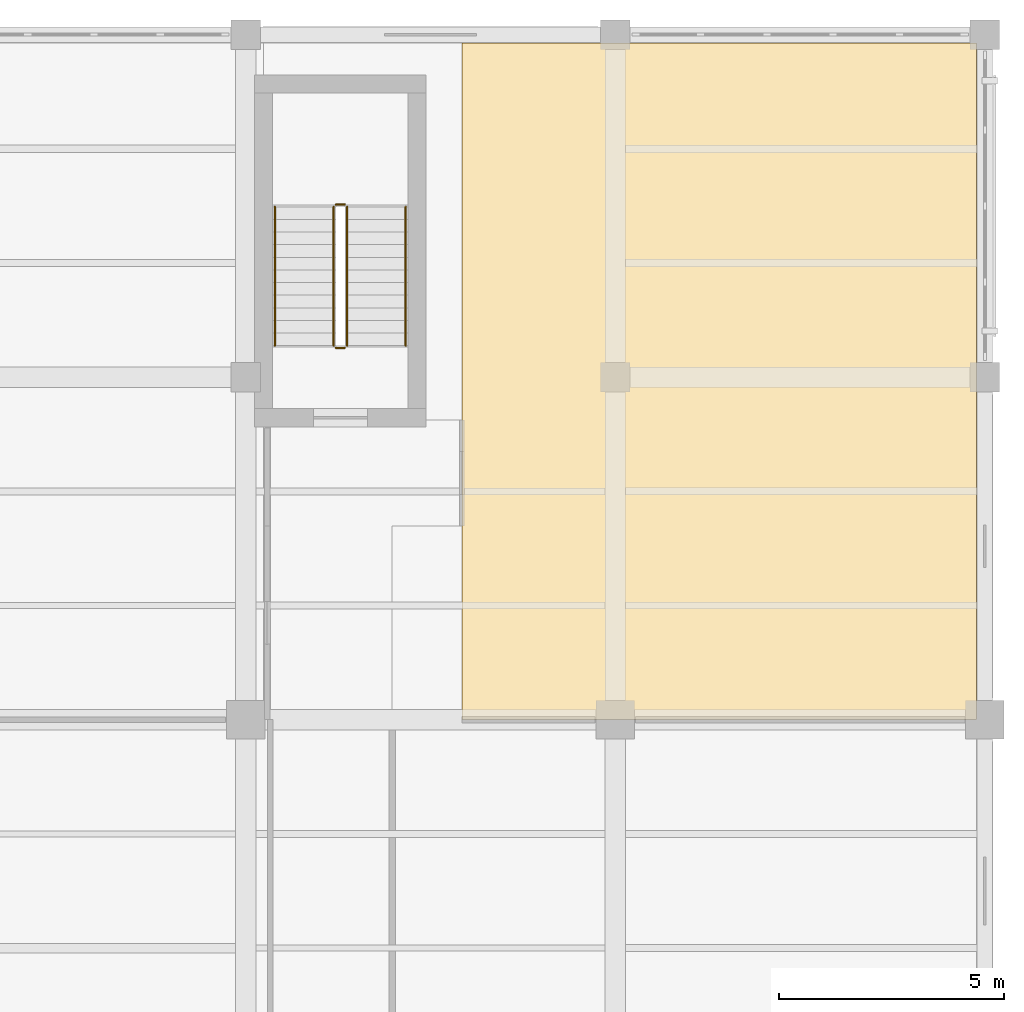
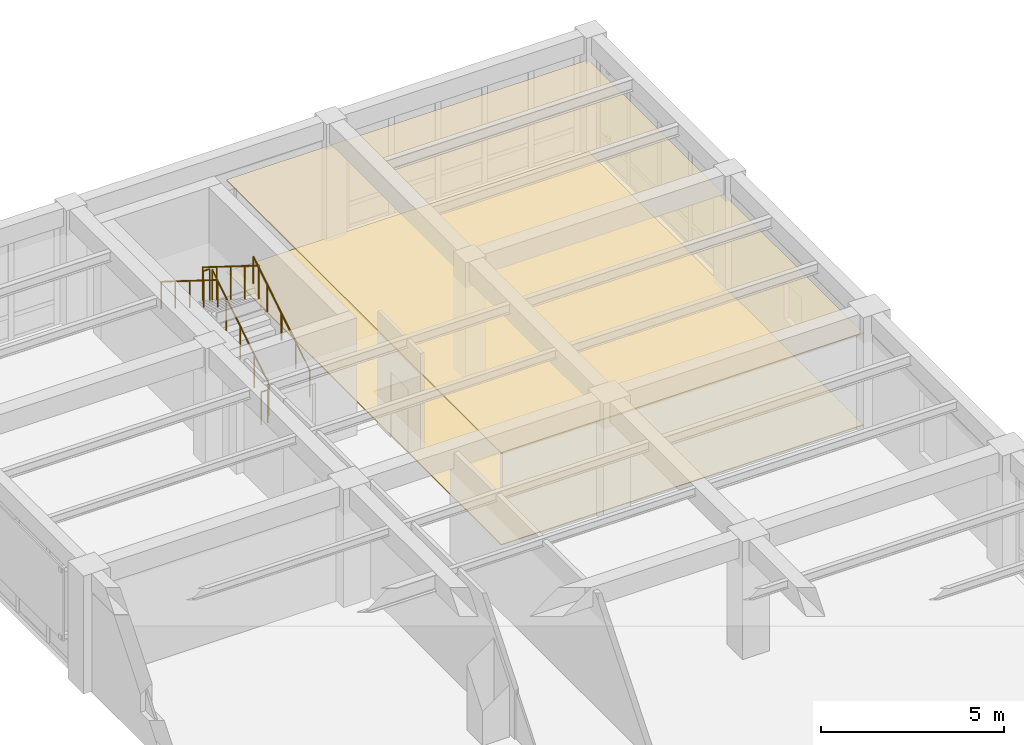
# One storey, part 16 of 16: 6 railings, 2 coverings.
"""IFC4 building model written with IfcOpenShell, lengths in metres."""

from ifc_helpers import new_model, si_unit, direction, frame, origin, origin_2d, place, context, subcontext, project, spatial, polyline, circle, outline, extrude, material, layer, layer_set, type_object, element, save


model = new_model("IFC4")

# Units and contexts
model_context = context("Model", 3, precision=1e-05, world=origin(), true_north=direction((0.0, 1.0)))
body_context = subcontext(model_context, "Body", "Model", "MODEL_VIEW")
ifc_project = project(units=[si_unit("LENGTHUNIT", "METRE"), si_unit("AREAUNIT", "SQUARE_METRE"), si_unit("VOLUMEUNIT", "CUBIC_METRE"), si_unit("PLANEANGLEUNIT", "RADIAN"), si_unit("MASSUNIT", "GRAM", prefix="KILO")], contexts=[model_context])

# Site, building, storey
site_placement = place(None, origin())
site = spatial("IfcSite", under=ifc_project, at=site_placement, CompositionType="ELEMENT")
building_placement = place(site_placement, origin())
building = spatial("IfcBuilding", under=site, at=building_placement, Name="Qandaris Square Conservatory and Botanical Centre", CompositionType="ELEMENT")
storey_placement = place(building_placement, frame((0.0, 0.0, 24.0)))
storey = spatial("IfcBuildingStorey", under=building, at=storey_placement, Name="L05", CompositionType="ELEMENT", Elevation=24.0)

# Coverings
ifc_material_1 = material(Name="Honed Qatari Limestone", Category="masonry")
ifc_layer_1 = layer(ifc_material_1, 0.030029296875)
ifc_layer_set_1 = layer_set([ifc_layer_1], Name="Honed Qatari Limestone")
covering_type_1 = type_object("IfcCoveringType", Name="Honed Qatari Limestone Concourse Paving", PredefinedType="FLOORING", material=ifc_layer_set_1)
covering_1_placement = place(storey_placement, origin())
element("IfcCovering", 1, at=covering_1_placement, inside=storey, type_object=covering_type_1, Name="Floor L05 Staff Write-Up Lounge Flooring", PredefinedType="FLOORING", context=body_context, shape_type="SweptSolid", body=[
    extrude(outline(polyline([(152.199951171875, 62.199951171875), (152.199951171875, 66.5), (152.199951171875, 68.85009765625), (152.199951171875, 77.219970703125), (163.6201171875, 77.219970703125), (163.6201171875, 62.199951171875), (152.199951171875, 62.199951171875)])), origin(), (0.0, 0.0, 1.0), 0.030029296875),
])
ifc_material_2 = material(Name="Engineered Oak Timber", Category="wood")
ifc_layer_2 = layer(ifc_material_2, 0.0400390625)
ifc_layer_set_2 = layer_set([ifc_layer_2], Name="Engineered Oak Timber")
covering_type_2 = type_object("IfcCoveringType", Name="Slatted Oak Acoustic Gallery Ceiling", PredefinedType="CEILING", material=ifc_layer_set_2)
covering_2_placement = place(storey_placement, frame((0.0, 0.0, 3.050048828125)))
element("IfcCovering", 2, at=covering_2_placement, inside=storey, type_object=covering_type_2, Name="Floor L05 Staff Write-Up Lounge Ceiling", PredefinedType="CEILING", context=body_context, shape_type="SweptSolid", body=[
    extrude(outline(polyline([(152.199951171875, 62.199951171875), (152.199951171875, 66.5), (152.199951171875, 68.85009765625), (152.199951171875, 77.219970703125), (163.6201171875, 77.219970703125), (163.6201171875, 62.199951171875), (152.199951171875, 62.199951171875)])), origin(), (0.0, 0.0, 1.0), 0.0400390625),
])

# Railings
ifc_material_3 = material(Name="Stainless Steel", Category="steel")
railing_type_1 = type_object("IfcRailingType", Name="Stair Tubular Handrail 920mm", PredefinedType="HANDRAIL", material=ifc_material_3)
railing_1_placement = place(storey_placement, frame((150.949951171875, 70.5, 0.35009765625)))
element("IfcRailing", 3, at=railing_1_placement, inside=storey, type_object=railing_type_1, Name="L05 ST-3 stair handrail 1", PredefinedType="HANDRAIL", context=body_context, shape_type="SweptSolid", body=[
    extrude(circle(Radius=0.02392578125, at=origin_2d()), frame((0.0, 0.0, 0.89599609375), z_axis=(0.0, 0.848028513186, 0.529950602248), x_axis=(-1.0, 0.0, 0.0)), (0.0, 0.0, 1.0), 3.632080078125),
    extrude(circle(Radius=0.02099609375, at=origin_2d()), origin(), (0.0, 0.0, 1.0), 0.871826171875),
    extrude(circle(Radius=0.02099609375, at=origin_2d()), frame((0.0, 0.77001953125, 0.481201171875)), (0.0, 0.0, 1.0), 0.871826171875),
    extrude(circle(Radius=0.02099609375, at=origin_2d()), frame((0.0, 1.5400390625, 0.96240234375)), (0.0, 0.0, 1.0), 0.871826171875),
    extrude(circle(Radius=0.02099609375, at=origin_2d()), frame((0.0, 2.31005859375, 1.443603515625)), (0.0, 0.0, 1.0), 0.871826171875),
    extrude(circle(Radius=0.02099609375, at=origin_2d()), frame((0.0, 3.080078125, 1.9248046875)), (0.0, 0.0, 1.0), 0.871826171875),
])
railing_2_placement = place(storey_placement, frame((148.050048828125, 73.580078125, 2.449951171875)))
element("IfcRailing", 4, at=railing_2_placement, inside=storey, type_object=railing_type_1, Name="L05 ST-3 stair handrail 2", PredefinedType="HANDRAIL", context=body_context, shape_type="SweptSolid", body=[
    extrude(circle(Radius=0.02392578125, at=origin_2d()), frame((0.0, 0.0, 0.89599609375), z_axis=(0.0, -0.847998304005, 0.529998940003), x_axis=(1.0, 0.0, 0.0)), (0.0, 0.0, 1.0), 3.632080078125),
    extrude(circle(Radius=0.02099609375, at=origin_2d()), origin(), (0.0, 0.0, 1.0), 0.871826171875),
    extrude(circle(Radius=0.02099609375, at=origin_2d()), frame((0.0, -0.77001953125, 0.481201171875)), (0.0, 0.0, 1.0), 0.871826171875),
    extrude(circle(Radius=0.02099609375, at=origin_2d()), frame((0.0, -1.5400390625, 0.96240234375)), (0.0, 0.0, 1.0), 0.871826171875),
    extrude(circle(Radius=0.02099609375, at=origin_2d()), frame((0.0, -2.31005859375, 1.44384765625)), (0.0, 0.0, 1.0), 0.871826171875),
    extrude(circle(Radius=0.02099609375, at=origin_2d()), frame((0.0, -3.080078125, 1.925048828125)), (0.0, 0.0, 1.0), 0.871826171875),
])
railing_type_2 = type_object("IfcRailingType", Name="Stairwell & Atrium Guardrail 1120mm", PredefinedType="GUARDRAIL", material=ifc_material_3)
railing_3_placement = place(storey_placement, frame((149.64990234375, 70.5, 0.175048828125)))
element("IfcRailing", 5, at=railing_3_placement, inside=storey, type_object=railing_type_2, Name="L05 ST-3 stair guard 1", PredefinedType="GUARDRAIL", context=body_context, shape_type="SweptSolid", body=[
    extrude(circle(Radius=0.02392578125, at=origin_2d()), frame((0.0, 0.0, 1.09619140625), z_axis=(0.0, 0.847998304005, 0.529998940003), x_axis=(-1.0, 0.0, 0.0)), (0.0, 0.0, 1.0), 3.632080078125),
    extrude(circle(Radius=0.02099609375, at=origin_2d()), origin(), (0.0, 0.0, 1.0), 1.072021484375),
    extrude(circle(Radius=0.02099609375, at=origin_2d()), frame((0.0, 0.77001953125, 0.481201171875)), (0.0, 0.0, 1.0), 1.072021484375),
    extrude(circle(Radius=0.02099609375, at=origin_2d()), frame((0.0, 1.5400390625, 0.96240234375)), (0.0, 0.0, 1.0), 1.072021484375),
    extrude(circle(Radius=0.02099609375, at=origin_2d()), frame((0.0, 2.31005859375, 1.44384765625)), (0.0, 0.0, 1.0), 1.072021484375),
    extrude(circle(Radius=0.02099609375, at=origin_2d()), frame((0.0, 3.080078125, 1.925048828125)), (0.0, 0.0, 1.0), 1.072021484375),
])
railing_4_placement = place(storey_placement, frame((149.60009765625, 73.6298828125, 2.10009765625)))
element("IfcRailing", 6, at=railing_4_placement, inside=storey, type_object=railing_type_2, Name="L05 ST-3 stair guard 2", PredefinedType="GUARDRAIL", context=body_context, shape_type="SweptSolid", body=[
    extrude(circle(Radius=0.02392578125, at=origin_2d()), frame((0.0, 0.0, 1.09619140625), z_axis=(-1.0, 0.0, 0.0), x_axis=(0.0, -1.0, 0.0)), (0.0, 0.0, 1.0), 0.2001953125),
    extrude(circle(Radius=0.02099609375, at=origin_2d()), origin(), (0.0, 0.0, 1.0), 1.072021484375),
    extrude(circle(Radius=0.02099609375, at=origin_2d()), frame((-0.2001953125, 0.0, 0.0)), (0.0, 0.0, 1.0), 1.072021484375),
])
railing_5_placement = place(storey_placement, frame((149.35009765625, 73.580078125, 2.27490234375)))
element("IfcRailing", 7, at=railing_5_placement, inside=storey, type_object=railing_type_2, Name="L05 ST-3 stair guard 3", PredefinedType="GUARDRAIL", context=body_context, shape_type="SweptSolid", body=[
    extrude(circle(Radius=0.02392578125, at=origin_2d()), frame((0.0, 0.0, 1.09619140625), z_axis=(0.0, -0.847998304005, 0.529998940003), x_axis=(1.0, 0.0, 0.0)), (0.0, 0.0, 1.0), 3.632080078125),
    extrude(circle(Radius=0.02099609375, at=origin_2d()), origin(), (0.0, 0.0, 1.0), 1.072021484375),
    extrude(circle(Radius=0.02099609375, at=origin_2d()), frame((0.0, -0.77001953125, 0.481201171875)), (0.0, 0.0, 1.0), 1.072021484375),
    extrude(circle(Radius=0.02099609375, at=origin_2d()), frame((0.0, -1.5400390625, 0.96240234375)), (0.0, 0.0, 1.0), 1.072021484375),
    extrude(circle(Radius=0.02099609375, at=origin_2d()), frame((0.0, -2.31005859375, 1.44384765625)), (0.0, 0.0, 1.0), 1.072021484375),
    extrude(circle(Radius=0.02099609375, at=origin_2d()), frame((0.0, -3.080078125, 1.925048828125)), (0.0, 0.0, 1.0), 1.072021484375),
])
railing_6_placement = place(storey_placement, frame((149.60009765625, 70.449951171875, 0.0)))
element("IfcRailing", 8, at=railing_6_placement, inside=storey, type_object=railing_type_2, Name="L05 ST-3 stair guard 4", PredefinedType="GUARDRAIL", context=body_context, shape_type="SweptSolid", body=[
    extrude(circle(Radius=0.02392578125, at=origin_2d()), frame((0.0, 0.0, 1.09619140625), z_axis=(-1.0, 0.0, 0.0), x_axis=(0.0, -1.0, 0.0)), (0.0, 0.0, 1.0), 0.2001953125),
    extrude(circle(Radius=0.02099609375, at=origin_2d()), origin(), (0.0, 0.0, 1.0), 1.072021484375),
    extrude(circle(Radius=0.02099609375, at=origin_2d()), frame((-0.2001953125, 0.0, 0.0)), (0.0, 0.0, 1.0), 1.072021484375),
])

save(model, "model.ifc")
